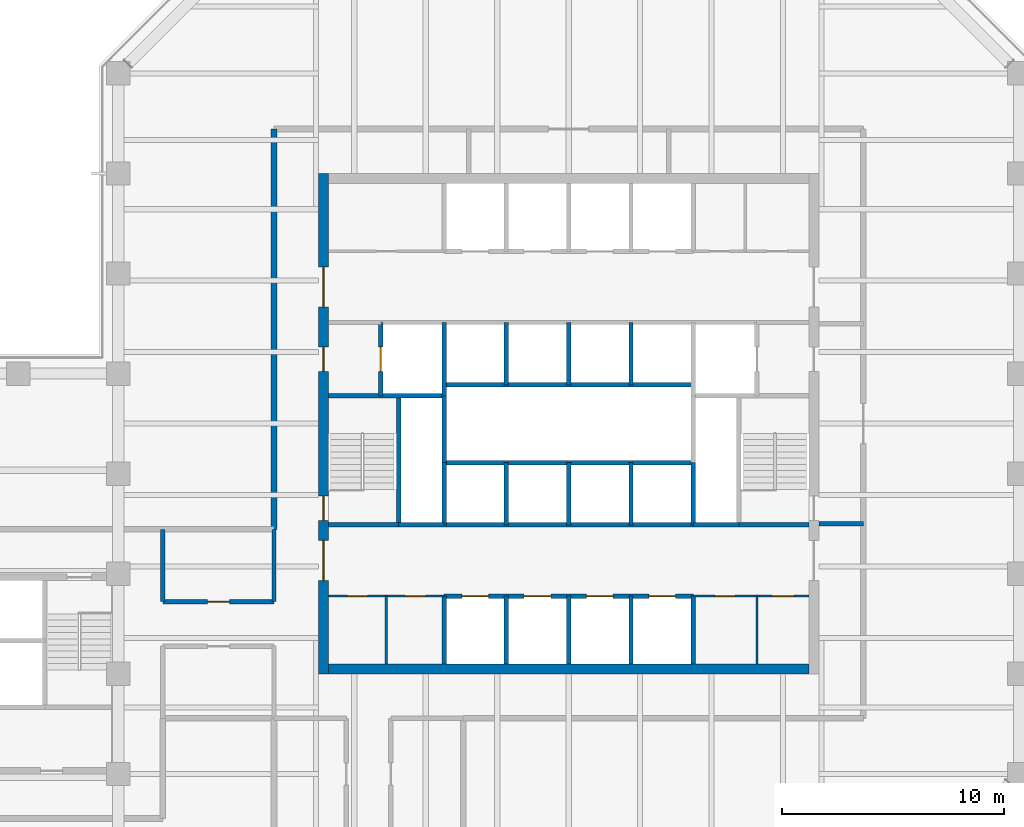
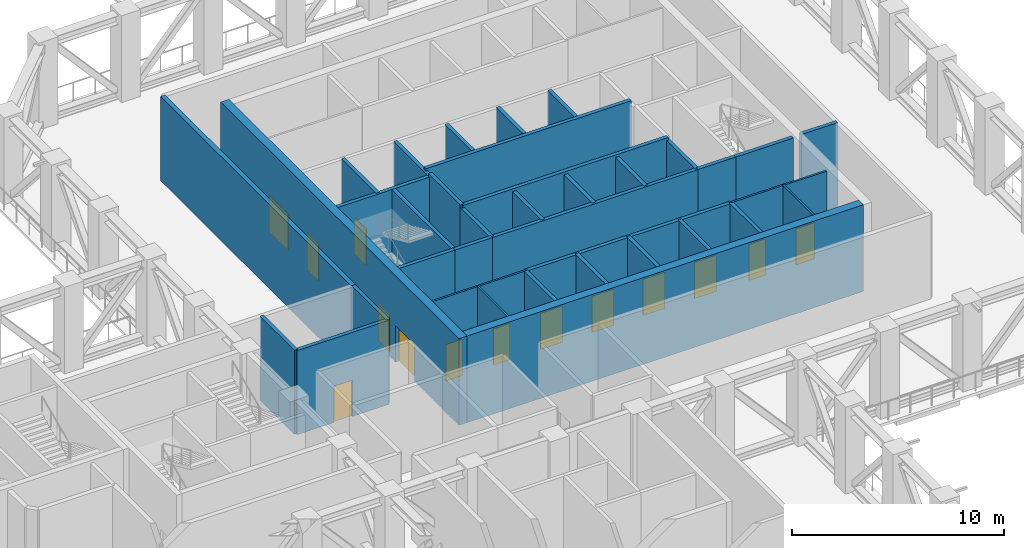
# One storey, part 6 of 14: 37 walls, 14 doors, 14 openings.
"""IFC4 building model written with IfcOpenShell, lengths in metres."""

from ifc_helpers import new_model, si_unit, direction, frame, frame_2d, origin, place, context, subcontext, project, spatial, rectangle, extrude, material, layer, layer_set, type_object, element, fill, save


model = new_model("IFC4")

# Units and contexts
model_context = context("Model", 3, precision=1e-05, world=origin(), true_north=direction((0.0, 1.0)))
body_context = subcontext(model_context, "Body", "Model", "MODEL_VIEW")
ifc_project = project(units=[si_unit("LENGTHUNIT", "METRE"), si_unit("AREAUNIT", "SQUARE_METRE"), si_unit("VOLUMEUNIT", "CUBIC_METRE"), si_unit("PLANEANGLEUNIT", "RADIAN"), si_unit("MASSUNIT", "GRAM", prefix="KILO")], contexts=[model_context])

# Site, building, storey
site_placement = place(None, origin())
site = spatial("IfcSite", under=ifc_project, at=site_placement, CompositionType="ELEMENT")
building_placement = place(site_placement, origin())
building = spatial("IfcBuilding", under=site, at=building_placement, Name="Quoin Convention Tower", CompositionType="ELEMENT")
storey_placement = place(building_placement, frame((0.0, 0.0, 138.10009765625)))
storey = spatial("IfcBuildingStorey", under=building, at=storey_placement, Name="L36", CompositionType="ELEMENT", Elevation=138.10009765625)

# Wall, openings, doors
ifc_material_1 = material(Name="Plasterboard")
ifc_layer_1 = layer(ifc_material_1, 0.012451171875, Name="Finish")
ifc_material_2 = material(Name="Steel stud framing", Category="steel")
ifc_layer_2 = layer(ifc_material_2, 0.074951171875, Name="Structure")
ifc_layer_3 = layer(ifc_material_1, 0.012451171875, Name="Finish")
ifc_layer_set_1 = layer_set([ifc_layer_1, ifc_layer_2, ifc_layer_3], Name="Steel stud framing")
wall_type_1 = type_object("IfcWallType", Name="Core partition wall", PredefinedType="PARTITIONING", material=ifc_layer_set_1)
wall_1_placement = place(storey_placement, frame((45.449951171875, 53.0, 0.0), z_axis=(0.0, 0.0, 1.0), x_axis=(1.0, 0.0, 0.0)))
wall_1 = element("IfcWall", 1, at=wall_1_placement, inside=storey, type_object=wall_type_1, Name="cr-C1-L36-h3500_450", PredefinedType="PARTITIONING", context=body_context, shape_type="SweptSolid", body=[
    extrude(rectangle(XDim=5.199951171875, YDim=0.10009765625, at=frame_2d((2.60009765625, 0.0))), origin(), (0.0, 0.0, 1.0), 4.849853515625),
])
opening_1_placement = place(wall_1_placement, frame((0.85009765625, 0.0, 0.0)))
opening_1 = element("IfcOpeningElement", 2, at=opening_1_placement, cuts=wall_1, Name="Opening DCV0-47", PredefinedType="OPENING", context=body_context, shape_type="SweptSolid", body=[
    extrude(rectangle(XDim=0.89990234375, YDim=2.10009765625, at=frame_2d((0.449951171875, 1.050048828125))), frame((0.0, 0.06005859375, 0.0), z_axis=(0.0, -1.0, 0.0), x_axis=(1.0, 0.0, 0.0)), (0.0, 0.0, 1.0), 0.1201171875),
])
opening_2_placement = place(wall_1_placement, frame((3.449951171875, 0.0, 0.0)))
opening_2 = element("IfcOpeningElement", 3, at=opening_2_placement, cuts=wall_1, Name="Opening DCV0-48", PredefinedType="OPENING", context=body_context, shape_type="SweptSolid", body=[
    extrude(rectangle(XDim=0.89990234375, YDim=2.10009765625, at=frame_2d((0.449951171875, 1.050048828125))), frame((0.0, 0.06005859375, 0.0), z_axis=(0.0, -1.0, 0.0), x_axis=(1.0, 0.0, 0.0)), (0.0, 0.0, 1.0), 0.1201171875),
])
ifc_material_3 = material(Name="Steel door leaf", Category="steel")
door_type_1 = type_object("IfcDoorType", Name="Core room door 900 x 2100", OperationType="SINGLE_SWING_LEFT", PredefinedType="DOOR", material=ifc_material_3)
door_1_placement = place(opening_1_placement, frame((0.89990234375, 0.0, 0.0), z_axis=(0.0, 0.0, 1.0), x_axis=(-1.0, 0.0, 0.0)))
door_1 = element("IfcDoor", 4, at=door_1_placement, inside=storey, type_object=door_type_1, Name="cd-C1-L36-CSW0-lobA-CD3612", OperationType="SINGLE_SWING_LEFT", OverallHeight=2.10009765625, OverallWidth=0.89990234375, PredefinedType="DOOR", context=body_context, shape_type="SweptSolid", body=[
    extrude(rectangle(XDim=0.89990234375, YDim=2.10009765625, at=frame_2d((0.449951171875, 1.050048828125))), frame((0.0, 0.02490234375, 0.0), z_axis=(0.0, -1.0, 0.0), x_axis=(1.0, 0.0, 0.0)), (0.0, 0.0, 1.0), 0.050048828125),
])
fill(opening_1, door_1)
door_2_placement = place(opening_2_placement, frame((0.89990234375, 0.0, 0.0), z_axis=(0.0, 0.0, 1.0), x_axis=(-1.0, 0.0, 0.0)))
door_2 = element("IfcDoor", 5, at=door_2_placement, inside=storey, type_object=door_type_1, Name="cd-C1-L36-CSW1-lobA-CD3613", OperationType="SINGLE_SWING_LEFT", OverallHeight=2.10009765625, OverallWidth=0.89990234375, PredefinedType="DOOR", context=body_context, shape_type="SweptSolid", body=[
    extrude(rectangle(XDim=0.89990234375, YDim=2.10009765625, at=frame_2d((0.449951171875, 1.050048828125))), frame((0.0, 0.02490234375, 0.0), z_axis=(0.0, -1.0, 0.0), x_axis=(1.0, 0.0, 0.0)), (0.0, 0.0, 1.0), 0.050048828125),
])
fill(opening_2, door_2)

wall_2_placement = place(storey_placement, frame((61.85009765625, 53.0, 0.0), z_axis=(0.0, 0.0, 1.0), x_axis=(1.0, 0.0, 0.0)))
wall_2 = element("IfcWall", 6, at=wall_2_placement, inside=storey, type_object=wall_type_1, Name="cr-C1-L36-h3500_16850", PredefinedType="PARTITIONING", context=body_context, shape_type="SweptSolid", body=[
    extrude(rectangle(XDim=5.199951171875, YDim=0.10009765625, at=frame_2d((2.60009765625, 0.0))), origin(), (0.0, 0.0, 1.0), 4.849853515625),
])
opening_3_placement = place(wall_2_placement, frame((3.530029296875, 0.0, 0.0)))
opening_3 = element("IfcOpeningElement", 7, at=opening_3_placement, cuts=wall_2, Name="Opening DCV0-31", PredefinedType="OPENING", context=body_context, shape_type="SweptSolid", body=[
    extrude(rectangle(XDim=1.0, YDim=2.10009765625, at=frame_2d((0.5, 1.050048828125))), frame((0.0, 0.06005859375, 0.0), z_axis=(0.0, -1.0, 0.0), x_axis=(1.0, 0.0, 0.0)), (0.0, 0.0, 1.0), 0.1201171875),
])
opening_4_placement = place(wall_2_placement, frame((0.97998046875, 0.0, 0.0)))
opening_4 = element("IfcOpeningElement", 8, at=opening_4_placement, cuts=wall_2, Name="Opening DCV0-28", PredefinedType="OPENING", context=body_context, shape_type="SweptSolid", body=[
    extrude(rectangle(XDim=0.89990234375, YDim=2.10009765625, at=frame_2d((0.449951171875, 1.050048828125))), frame((0.0, 0.06005859375, 0.0), z_axis=(0.0, -1.0, 0.0), x_axis=(1.0, 0.0, 0.0)), (0.0, 0.0, 1.0), 0.1201171875),
])
door_type_2 = type_object("IfcDoorType", Name="Core room door 1000 x 2100", OperationType="SINGLE_SWING_LEFT", PredefinedType="DOOR", material=ifc_material_3)
door_3_placement = place(opening_3_placement, frame((1.0, 0.0, 0.0), z_axis=(0.0, 0.0, 1.0), x_axis=(-1.0, 0.0, 0.0)))
door_3 = element("IfcDoor", 9, at=door_3_placement, inside=storey, type_object=door_type_2, Name="cd-C1-L36-CSE0-lobA-CD3610", OperationType="SINGLE_SWING_LEFT", OverallHeight=2.10009765625, OverallWidth=1.0, PredefinedType="DOOR", context=body_context, shape_type="SweptSolid", body=[
    extrude(rectangle(XDim=1.0, YDim=2.10009765625, at=frame_2d((0.5, 1.050048828125))), frame((0.0, 0.02490234375, 0.0), z_axis=(0.0, -1.0, 0.0), x_axis=(1.0, 0.0, 0.0)), (0.0, 0.0, 1.0), 0.050048828125),
])
fill(opening_3, door_3)
door_4_placement = place(opening_4_placement, frame((0.89990234375, 0.0, 0.0), z_axis=(0.0, 0.0, 1.0), x_axis=(-1.0, 0.0, 0.0)))
door_4 = element("IfcDoor", 10, at=door_4_placement, inside=storey, type_object=door_type_1, Name="cd-C1-L36-CSE1-lobA-CD3611", OperationType="SINGLE_SWING_LEFT", OverallHeight=2.10009765625, OverallWidth=0.89990234375, PredefinedType="DOOR", context=body_context, shape_type="SweptSolid", body=[
    extrude(rectangle(XDim=0.89990234375, YDim=2.10009765625, at=frame_2d((0.449951171875, 1.050048828125))), frame((0.0, 0.02490234375, 0.0), z_axis=(0.0, -1.0, 0.0), x_axis=(1.0, 0.0, 0.0)), (0.0, 0.0, 1.0), 0.050048828125),
])
fill(opening_4, door_4)

# Walls
for number, where, z_axis, x_axis, name in (
    (11, (48.050048828125, 49.949951171875, 0.0), (0.0, 0.0, 1.0), (0.0, 1.0, 0.0), "cr-C1-L36-v3050_450"),
    (12, (64.7099609375, 49.949951171875, 0.0), (0.0, 0.0, 1.0), (0.0, 1.0, 0.0), "cr-C1-L36-v19710_450"),
):
    element("IfcWall", number, at=place(storey_placement, frame(where, z_axis=z_axis, x_axis=x_axis)), inside=storey, type_object=wall_type_1, Name=name, PredefinedType="PARTITIONING", context=body_context, shape_type="SweptSolid", body=[
        extrude(rectangle(XDim=3.050048828125, YDim=0.10009765625, at=frame_2d((1.52490234375, 0.0))), origin(), (0.0, 0.0, 1.0), 4.849853515625),
    ])

# Wall, openings, doors
ifc_material_4 = material(Name="Concrete C50", Category="concrete")
ifc_layer_4 = layer(ifc_material_4, 0.199951171875)
ifc_layer_set_2 = layer_set([ifc_layer_4], Name="Concrete C50")
wall_type_2 = type_object("IfcWallType", Name="Core shaft wall", PredefinedType="SOLIDWALL", material=ifc_layer_set_2)
wall_3_placement = place(storey_placement, frame((50.64990234375, 53.0, 0.0), z_axis=(0.0, 0.0, 1.0), x_axis=(1.0, 0.0, 0.0)))
wall_3 = element("IfcWall", 13, at=wall_3_placement, inside=storey, type_object=wall_type_2, Name="cr-C1-L36-h3500_5650", PredefinedType="SOLIDWALL", context=body_context, shape_type="SweptSolid", body=[
    extrude(rectangle(XDim=11.2001953125, YDim=0.199951171875, at=frame_2d((5.60009765625, 0.0))), origin(), (0.0, 0.0, 1.0), 4.849853515625),
])
opening_5_placement = place(wall_3_placement, frame((0.800048828125, 0.0, 0.0)))
opening_5 = element("IfcOpeningElement", 14, at=opening_5_placement, cuts=wall_3, Name="Opening LDL1", PredefinedType="OPENING", context=body_context, shape_type="SweptSolid", body=[
    extrude(rectangle(XDim=1.199951171875, YDim=2.10009765625, at=frame_2d((0.60009765625, 1.050048828125))), frame((0.0, 0.10986328125, 0.0), z_axis=(0.0, -1.0, 0.0), x_axis=(1.0, 0.0, 0.0)), (0.0, 0.0, 1.0), 0.219970703125),
])
opening_6_placement = place(wall_3_placement, frame((3.60009765625, 0.0, 0.0)))
opening_6 = element("IfcOpeningElement", 15, at=opening_6_placement, cuts=wall_3, Name="Opening LDL2", PredefinedType="OPENING", context=body_context, shape_type="SweptSolid", body=[
    extrude(rectangle(XDim=1.199951171875, YDim=2.10009765625, at=frame_2d((0.60009765625, 1.050048828125))), frame((0.0, 0.10986328125, 0.0), z_axis=(0.0, -1.0, 0.0), x_axis=(1.0, 0.0, 0.0)), (0.0, 0.0, 1.0), 0.219970703125),
])
opening_7_placement = place(wall_3_placement, frame((6.39990234375, 0.0, 0.0)))
opening_7 = element("IfcOpeningElement", 16, at=opening_7_placement, cuts=wall_3, Name="Opening LDL3", PredefinedType="OPENING", context=body_context, shape_type="SweptSolid", body=[
    extrude(rectangle(XDim=1.199951171875, YDim=2.10009765625, at=frame_2d((0.60009765625, 1.050048828125))), frame((0.0, 0.10986328125, 0.0), z_axis=(0.0, -1.0, 0.0), x_axis=(1.0, 0.0, 0.0)), (0.0, 0.0, 1.0), 0.219970703125),
])
opening_8_placement = place(wall_3_placement, frame((9.199951171875, 0.0, 0.0)))
opening_8 = element("IfcOpeningElement", 17, at=opening_8_placement, cuts=wall_3, Name="Opening LDL4", PredefinedType="OPENING", context=body_context, shape_type="SweptSolid", body=[
    extrude(rectangle(XDim=1.199951171875, YDim=2.10009765625, at=frame_2d((0.60009765625, 1.050048828125))), frame((0.0, 0.10986328125, 0.0), z_axis=(0.0, -1.0, 0.0), x_axis=(1.0, 0.0, 0.0)), (0.0, 0.0, 1.0), 0.219970703125),
])
door_type_3 = type_object("IfcDoorType", Name="Lift landing door 1200 x 2100", OperationType="DOUBLE_DOOR_SLIDING", PredefinedType="DOOR", material=ifc_material_3)
door_5_placement = place(opening_5_placement, origin())
door_5 = element("IfcDoor", 18, at=door_5_placement, inside=storey, type_object=door_type_3, Name="cd-C1-L36-R10-lobA-LDL1", OperationType="DOUBLE_DOOR_SLIDING", OverallHeight=2.10009765625, OverallWidth=1.199951171875, PredefinedType="DOOR", context=body_context, shape_type="SweptSolid", body=[
    extrude(rectangle(XDim=1.199951171875, YDim=2.10009765625, at=frame_2d((0.60009765625, 1.050048828125))), frame((0.0, 0.02490234375, 0.0), z_axis=(0.0, -1.0, 0.0), x_axis=(1.0, 0.0, 0.0)), (0.0, 0.0, 1.0), 0.050048828125),
])
fill(opening_5, door_5)
door_6_placement = place(opening_6_placement, origin())
door_6 = element("IfcDoor", 19, at=door_6_placement, inside=storey, type_object=door_type_3, Name="cd-C1-L36-R11-lobA-LDL2", OperationType="DOUBLE_DOOR_SLIDING", OverallHeight=2.10009765625, OverallWidth=1.199951171875, PredefinedType="DOOR", context=body_context, shape_type="SweptSolid", body=[
    extrude(rectangle(XDim=1.199951171875, YDim=2.10009765625, at=frame_2d((0.60009765625, 1.050048828125))), frame((0.0, 0.02490234375, 0.0), z_axis=(0.0, -1.0, 0.0), x_axis=(1.0, 0.0, 0.0)), (0.0, 0.0, 1.0), 0.050048828125),
])
fill(opening_6, door_6)
door_7_placement = place(opening_7_placement, origin())
door_7 = element("IfcDoor", 20, at=door_7_placement, inside=storey, type_object=door_type_3, Name="cd-C1-L36-R12-lobA-LDL3", OperationType="DOUBLE_DOOR_SLIDING", OverallHeight=2.10009765625, OverallWidth=1.199951171875, PredefinedType="DOOR", context=body_context, shape_type="SweptSolid", body=[
    extrude(rectangle(XDim=1.199951171875, YDim=2.10009765625, at=frame_2d((0.60009765625, 1.050048828125))), frame((0.0, 0.02490234375, 0.0), z_axis=(0.0, -1.0, 0.0), x_axis=(1.0, 0.0, 0.0)), (0.0, 0.0, 1.0), 0.050048828125),
])
fill(opening_7, door_7)
door_8_placement = place(opening_8_placement, origin())
door_8 = element("IfcDoor", 21, at=door_8_placement, inside=storey, type_object=door_type_3, Name="cd-C1-L36-R13-lobA-LDL4", OperationType="DOUBLE_DOOR_SLIDING", OverallHeight=2.10009765625, OverallWidth=1.199951171875, PredefinedType="DOOR", context=body_context, shape_type="SweptSolid", body=[
    extrude(rectangle(XDim=1.199951171875, YDim=2.10009765625, at=frame_2d((0.60009765625, 1.050048828125))), frame((0.0, 0.02490234375, 0.0), z_axis=(0.0, -1.0, 0.0), x_axis=(1.0, 0.0, 0.0)), (0.0, 0.0, 1.0), 0.050048828125),
])
fill(opening_8, door_8)

# Walls
for number, where, z_axis, x_axis, name in (
    (22, (48.60009765625, 56.199951171875, 0.0), (0.0, 0.0, 1.0), (1.0, 0.0, 0.0), "cr-C1-L36-h6700_3600"),
    (23, (61.85009765625, 56.199951171875, 0.0), (0.0, 0.0, 1.0), (1.0, 0.0, 0.0), "cr-C1-L36-h6700_16850"),
):
    element("IfcWall", number, at=place(storey_placement, frame(where, z_axis=z_axis, x_axis=x_axis)), inside=storey, type_object=wall_type_2, Name=name, PredefinedType="SOLIDWALL", context=body_context, shape_type="SweptSolid", body=[
        extrude(rectangle(XDim=2.0498046875, YDim=0.199951171875, at=frame_2d((1.02490234375, 0.0))), origin(), (0.0, 0.0, 1.0), 4.849853515625),
    ])
wall_4_placement = place(storey_placement, frame((45.449951171875, 56.199951171875, 0.0), z_axis=(0.0, 0.0, 1.0), x_axis=(1.0, 0.0, 0.0)))
element("IfcWall", 24, at=wall_4_placement, inside=storey, type_object=wall_type_2, Name="cr-C1-L36-h6700_450", PredefinedType="SOLIDWALL", context=body_context, shape_type="SweptSolid", body=[
    extrude(rectangle(XDim=3.150146484375, YDim=0.199951171875, at=frame_2d((1.5751953125, 0.0))), origin(), (0.0, 0.0, 1.0), 4.849853515625),
])
wall_5_placement = place(storey_placement, frame((50.64990234375, 56.199951171875, 0.0), z_axis=(0.0, 0.0, 1.0), x_axis=(1.0, 0.0, 0.0)))
element("IfcWall", 25, at=wall_5_placement, inside=storey, type_object=wall_type_2, Name="cr-C1-L36-h6700_5650", PredefinedType="SOLIDWALL", context=body_context, shape_type="SweptSolid", body=[
    extrude(rectangle(XDim=11.2001953125, YDim=0.199951171875, at=frame_2d((5.60009765625, 0.0))), origin(), (0.0, 0.0, 1.0), 4.849853515625),
])
wall_6_placement = place(storey_placement, frame((63.89990234375, 56.199951171875, 0.0), z_axis=(0.0, 0.0, 1.0), x_axis=(1.0, 0.0, 0.0)))
element("IfcWall", 26, at=wall_6_placement, inside=storey, type_object=wall_type_2, Name="cr-C1-L36-h6700_18900", PredefinedType="SOLIDWALL", context=body_context, shape_type="SweptSolid", body=[
    extrude(rectangle(XDim=3.150146484375, YDim=0.199951171875, at=frame_2d((1.5751953125, 0.0))), origin(), (0.0, 0.0, 1.0), 4.849853515625),
])
wall_7_placement = place(storey_placement, frame((45.449951171875, 62.0, 0.0), z_axis=(0.0, 0.0, 1.0), x_axis=(1.0, 0.0, 0.0)))
element("IfcWall", 27, at=wall_7_placement, inside=storey, type_object=wall_type_2, Name="cr-C1-L36-h12500_450", PredefinedType="SOLIDWALL", context=body_context, shape_type="SweptSolid", body=[
    extrude(rectangle(XDim=5.199951171875, YDim=0.199951171875, at=frame_2d((2.60009765625, 0.0))), origin(), (0.0, 0.0, 1.0), 4.849853515625),
])

# Wall, opening, door
wall_8_placement = place(storey_placement, frame((47.800048828125, 62.0, 0.0), z_axis=(0.0, 0.0, 1.0), x_axis=(0.0, 1.0, 0.0)))
wall_8 = element("IfcWall", 28, at=wall_8_placement, inside=storey, type_object=wall_type_2, Name="cr-C1-L36-v2800_12500", PredefinedType="SOLIDWALL", context=body_context, shape_type="SweptSolid", body=[
    extrude(rectangle(XDim=3.300048828125, YDim=0.199951171875, at=frame_2d((1.64990234375, 0.0))), origin(), (0.0, 0.0, 1.0), 4.849853515625),
])
opening_9_placement = place(wall_8_placement, frame((1.10009765625, 0.0, 0.0)))
opening_9 = element("IfcOpeningElement", 29, at=opening_9_placement, cuts=wall_8, Name="Opening LDFL1", PredefinedType="OPENING", context=body_context, shape_type="SweptSolid", body=[
    extrude(rectangle(XDim=1.10009765625, YDim=2.10009765625, at=frame_2d((0.550048828125, 1.050048828125))), frame((0.0, 0.10986328125, 0.0), z_axis=(0.0, -1.0, 0.0), x_axis=(1.0, 0.0, 0.0)), (0.0, 0.0, 1.0), 0.219970703125),
])
door_type_4 = type_object("IfcDoorType", Name="Lift landing door 1100 x 2100", OperationType="DOUBLE_DOOR_SLIDING", PredefinedType="DOOR", material=ifc_material_3)
door_9_placement = place(opening_9_placement, origin())
door_9 = element("IfcDoor", 30, at=door_9_placement, inside=storey, type_object=door_type_4, Name="cd-C1-L36-FLW-FFW-LDFL1", OperationType="DOUBLE_DOOR_SLIDING", OverallHeight=2.10009765625, OverallWidth=1.10009765625, PredefinedType="DOOR", context=body_context, shape_type="SweptSolid", body=[
    extrude(rectangle(XDim=1.10009765625, YDim=2.10009765625, at=frame_2d((0.550048828125, 1.050048828125))), frame((0.0, 0.02490234375, 0.0), z_axis=(0.0, -1.0, 0.0), x_axis=(1.0, 0.0, 0.0)), (0.0, 0.0, 1.0), 0.050048828125),
])
fill(opening_9, door_9)

# Walls
wall_9_placement = place(storey_placement, frame((48.60009765625, 56.199951171875, 0.0), z_axis=(0.0, 0.0, 1.0), x_axis=(0.0, 1.0, 0.0)))
element("IfcWall", 31, at=wall_9_placement, inside=storey, type_object=wall_type_2, Name="cr-C1-L36-v3600_6700", PredefinedType="SOLIDWALL", context=body_context, shape_type="SweptSolid", body=[
    extrude(rectangle(XDim=5.800048828125, YDim=0.199951171875, at=frame_2d((2.89990234375, 0.0))), origin(), (0.0, 0.0, 1.0), 4.849853515625),
])
wall_10_placement = place(storey_placement, frame((50.64990234375, 49.949951171875, 0.0), z_axis=(0.0, 0.0, 1.0), x_axis=(0.0, 1.0, 0.0)))
element("IfcWall", 32, at=wall_10_placement, inside=storey, type_object=wall_type_2, Name="cr-C1-L36-v5650_450", PredefinedType="SOLIDWALL", context=body_context, shape_type="SweptSolid", body=[
    extrude(rectangle(XDim=3.050048828125, YDim=0.199951171875, at=frame_2d((1.52490234375, 0.0))), origin(), (0.0, 0.0, 1.0), 4.849853515625),
])
wall_11_placement = place(storey_placement, frame((50.64990234375, 56.199951171875, 0.0), z_axis=(0.0, 0.0, 1.0), x_axis=(0.0, 1.0, 0.0)))
element("IfcWall", 33, at=wall_11_placement, inside=storey, type_object=wall_type_2, Name="cr-C1-L36-v5650_6700", PredefinedType="SOLIDWALL", context=body_context, shape_type="SweptSolid", body=[
    extrude(rectangle(XDim=2.800048828125, YDim=0.199951171875, at=frame_2d((1.39990234375, 0.0))), origin(), (0.0, 0.0, 1.0), 4.849853515625),
])
wall_12_placement = place(storey_placement, frame((50.64990234375, 62.0, 0.0), z_axis=(0.0, 0.0, 1.0), x_axis=(0.0, 1.0, 0.0)))
element("IfcWall", 34, at=wall_12_placement, inside=storey, type_object=wall_type_2, Name="cr-C1-L36-v5650_12500", PredefinedType="SOLIDWALL", context=body_context, shape_type="SweptSolid", body=[
    extrude(rectangle(XDim=3.300048828125, YDim=0.199951171875, at=frame_2d((1.64990234375, 0.0))), origin(), (0.0, 0.0, 1.0), 4.849853515625),
])
wall_13_placement = place(storey_placement, frame((53.449951171875, 49.949951171875, 0.0), z_axis=(0.0, 0.0, 1.0), x_axis=(0.0, 1.0, 0.0)))
element("IfcWall", 35, at=wall_13_placement, inside=storey, type_object=wall_type_2, Name="cr-C1-L36-v8450_450", PredefinedType="SOLIDWALL", context=body_context, shape_type="SweptSolid", body=[
    extrude(rectangle(XDim=3.050048828125, YDim=0.199951171875, at=frame_2d((1.52490234375, 0.0))), origin(), (0.0, 0.0, 1.0), 4.849853515625),
])
for number, where, z_axis, x_axis, name in (
    (36, (53.449951171875, 56.199951171875, 0.0), (0.0, 0.0, 1.0), (0.0, 1.0, 0.0), "cr-C1-L36-v8450_6700"),
    (37, (53.449951171875, 62.5, 0.0), (0.0, 0.0, 1.0), (0.0, 1.0, 0.0), "cr-C1-L36-v8450_13000"),
):
    element("IfcWall", number, at=place(storey_placement, frame(where, z_axis=z_axis, x_axis=x_axis)), inside=storey, type_object=wall_type_2, Name=name, PredefinedType="SOLIDWALL", context=body_context, shape_type="SweptSolid", body=[
        extrude(rectangle(XDim=2.800048828125, YDim=0.199951171875, at=frame_2d((1.39990234375, 0.0))), origin(), (0.0, 0.0, 1.0), 4.849853515625),
    ])
wall_14_placement = place(storey_placement, frame((56.25, 49.949951171875, 0.0), z_axis=(0.0, 0.0, 1.0), x_axis=(0.0, 1.0, 0.0)))
element("IfcWall", 38, at=wall_14_placement, inside=storey, type_object=wall_type_2, Name="cr-C1-L36-v11250_450", PredefinedType="SOLIDWALL", context=body_context, shape_type="SweptSolid", body=[
    extrude(rectangle(XDim=3.050048828125, YDim=0.199951171875, at=frame_2d((1.52490234375, 0.0))), origin(), (0.0, 0.0, 1.0), 4.849853515625),
])
for number, where, z_axis, x_axis, name in (
    (39, (56.25, 56.199951171875, 0.0), (0.0, 0.0, 1.0), (0.0, 1.0, 0.0), "cr-C1-L36-v11250_6700"),
    (40, (56.25, 62.5, 0.0), (0.0, 0.0, 1.0), (0.0, 1.0, 0.0), "cr-C1-L36-v11250_13000"),
):
    element("IfcWall", number, at=place(storey_placement, frame(where, z_axis=z_axis, x_axis=x_axis)), inside=storey, type_object=wall_type_2, Name=name, PredefinedType="SOLIDWALL", context=body_context, shape_type="SweptSolid", body=[
        extrude(rectangle(XDim=2.800048828125, YDim=0.199951171875, at=frame_2d((1.39990234375, 0.0))), origin(), (0.0, 0.0, 1.0), 4.849853515625),
    ])
wall_15_placement = place(storey_placement, frame((59.050048828125, 49.949951171875, 0.0), z_axis=(0.0, 0.0, 1.0), x_axis=(0.0, 1.0, 0.0)))
element("IfcWall", 41, at=wall_15_placement, inside=storey, type_object=wall_type_2, Name="cr-C1-L36-v14050_450", PredefinedType="SOLIDWALL", context=body_context, shape_type="SweptSolid", body=[
    extrude(rectangle(XDim=3.050048828125, YDim=0.199951171875, at=frame_2d((1.52490234375, 0.0))), origin(), (0.0, 0.0, 1.0), 4.849853515625),
])
for number, where, z_axis, x_axis, name in (
    (42, (59.050048828125, 56.199951171875, 0.0), (0.0, 0.0, 1.0), (0.0, 1.0, 0.0), "cr-C1-L36-v14050_6700"),
    (43, (59.050048828125, 62.5, 0.0), (0.0, 0.0, 1.0), (0.0, 1.0, 0.0), "cr-C1-L36-v14050_13000"),
):
    element("IfcWall", number, at=place(storey_placement, frame(where, z_axis=z_axis, x_axis=x_axis)), inside=storey, type_object=wall_type_2, Name=name, PredefinedType="SOLIDWALL", context=body_context, shape_type="SweptSolid", body=[
        extrude(rectangle(XDim=2.800048828125, YDim=0.199951171875, at=frame_2d((1.39990234375, 0.0))), origin(), (0.0, 0.0, 1.0), 4.849853515625),
    ])
wall_16_placement = place(storey_placement, frame((61.85009765625, 49.949951171875, 0.0), z_axis=(0.0, 0.0, 1.0), x_axis=(0.0, 1.0, 0.0)))
element("IfcWall", 44, at=wall_16_placement, inside=storey, type_object=wall_type_2, Name="cr-C1-L36-v16850_450", PredefinedType="SOLIDWALL", context=body_context, shape_type="SweptSolid", body=[
    extrude(rectangle(XDim=3.050048828125, YDim=0.199951171875, at=frame_2d((1.52490234375, 0.0))), origin(), (0.0, 0.0, 1.0), 4.849853515625),
])
wall_17_placement = place(storey_placement, frame((61.85009765625, 56.199951171875, 0.0), z_axis=(0.0, 0.0, 1.0), x_axis=(0.0, 1.0, 0.0)))
element("IfcWall", 45, at=wall_17_placement, inside=storey, type_object=wall_type_2, Name="cr-C1-L36-v16850_6700", PredefinedType="SOLIDWALL", context=body_context, shape_type="SweptSolid", body=[
    extrude(rectangle(XDim=2.800048828125, YDim=0.199951171875, at=frame_2d((1.39990234375, 0.0))), origin(), (0.0, 0.0, 1.0), 4.849853515625),
])
ifc_layer_5 = layer(ifc_material_4, 0.199951171875)
ifc_layer_set_3 = layer_set([ifc_layer_5], Name="Concrete C50")
wall_type_3 = type_object("IfcWallType", Name="Core shaft wall to the floor level over", PredefinedType="SOLIDWALL", material=ifc_layer_set_3)
for number, where, z_axis, x_axis, name in (
    (46, (50.64990234375, 59.0, 0.0), (0.0, 0.0, 1.0), (1.0, 0.0, 0.0), "cr-C1-L36-h9500_5650"),
    (47, (50.64990234375, 62.5, 0.0), (0.0, 0.0, 1.0), (1.0, 0.0, 0.0), "cr-C1-L36-h13000_5650"),
):
    element("IfcWall", number, at=place(storey_placement, frame(where, z_axis=z_axis, x_axis=x_axis)), inside=storey, type_object=wall_type_3, Name=name, PredefinedType="SOLIDWALL", context=body_context, shape_type="SweptSolid", body=[
        extrude(rectangle(XDim=11.2001953125, YDim=0.199951171875, at=frame_2d((5.60009765625, 0.0))), origin(), (0.0, 0.0, 1.0), 5.0),
    ])
wall_18_placement = place(storey_placement, frame((50.64990234375, 59.0, 0.0), z_axis=(0.0, 0.0, 1.0), x_axis=(0.0, 1.0, 0.0)))
element("IfcWall", 48, at=wall_18_placement, inside=storey, type_object=wall_type_3, Name="cr-C1-L36-v5650_9500", PredefinedType="SOLIDWALL", context=body_context, shape_type="SweptSolid", body=[
    extrude(rectangle(XDim=3.0, YDim=0.199951171875, at=frame_2d((1.5, 0.0))), origin(), (0.0, 0.0, 1.0), 5.0),
])
ifc_material_5 = material(Name="Concrete C65", Category="concrete")
ifc_layer_6 = layer(ifc_material_5, 0.449951171875)
ifc_layer_set_4 = layer_set([ifc_layer_6], Name="Concrete C65")
wall_type_4 = type_object("IfcWallType", Name="RC CORE WALL 450 C65", PredefinedType="SHEAR", material=ifc_layer_set_4)
wall_19_placement = place(storey_placement, frame((45.449951171875, 49.72509765625, 0.0), z_axis=(0.0, 0.0, 1.0), x_axis=(1.0, 0.0, 0.0)))
element("IfcWall", 49, at=wall_19_placement, inside=storey, type_object=wall_type_4, Name="cwl-C1-L36-S", PredefinedType="SHEAR", context=body_context, shape_type="SweptSolid", body=[
    extrude(rectangle(XDim=21.60009765625, YDim=0.449951171875, at=frame_2d((10.800048828125, 0.0))), origin(), (0.0, 0.0, 1.0), 5.0),
])

# Wall, openings, doors
wall_20_placement = place(storey_placement, frame((45.22509765625, 49.5, 0.0), z_axis=(0.0, 0.0, 1.0), x_axis=(0.0, 1.0, 0.0)))
wall_20 = element("IfcWall", 50, at=wall_20_placement, inside=storey, type_object=wall_type_4, Name="cwl-C1-L36-W", PredefinedType="SHEAR", context=body_context, shape_type="SweptSolid", body=[
    extrude(rectangle(XDim=22.5, YDim=0.449951171875, at=frame_2d((11.25, 0.0))), origin(), (0.0, 0.0, 1.0), 5.0),
])
opening_10_placement = place(wall_20_placement, frame((4.199951171875, 0.0, 0.0)))
opening_10 = element("IfcOpeningElement", 51, at=opening_10_placement, cuts=wall_20, Name="Opening DCV0-59", PredefinedType="OPENING", context=body_context, shape_type="SweptSolid", body=[
    extrude(rectangle(XDim=1.800048828125, YDim=2.10009765625, at=frame_2d((0.89990234375, 1.050048828125))), frame((0.0, 0.23486328125, 0.0), z_axis=(0.0, -1.0, 0.0), x_axis=(1.0, 0.0, 0.0)), (0.0, 0.0, 1.0), 0.469970703125),
])
opening_11_placement = place(wall_20_placement, frame((6.89990234375, 0.0, 0.0)))
opening_11 = element("IfcOpeningElement", 52, at=opening_11_placement, cuts=wall_20, Name="Opening SD1", PredefinedType="OPENING", context=body_context, shape_type="SweptSolid", body=[
    extrude(rectangle(XDim=1.10009765625, YDim=2.10009765625, at=frame_2d((0.550048828125, 1.050048828125))), frame((0.0, 0.23486328125, 0.0), z_axis=(0.0, -1.0, 0.0), x_axis=(1.0, 0.0, 0.0)), (0.0, 0.0, 1.0), 0.469970703125),
])
opening_12_placement = place(wall_20_placement, frame((13.60009765625, 0.0, 0.0)))
opening_12 = element("IfcOpeningElement", 53, at=opening_12_placement, cuts=wall_20, Name="Opening DCV0-58", PredefinedType="OPENING", context=body_context, shape_type="SweptSolid", body=[
    extrude(rectangle(XDim=1.10009765625, YDim=2.10009765625, at=frame_2d((0.550048828125, 1.050048828125))), frame((0.0, 0.23486328125, 0.0), z_axis=(0.0, -1.0, 0.0), x_axis=(1.0, 0.0, 0.0)), (0.0, 0.0, 1.0), 0.469970703125),
])
opening_13_placement = place(wall_20_placement, frame((16.5, 0.0, 0.0)))
opening_13 = element("IfcOpeningElement", 54, at=opening_13_placement, cuts=wall_20, Name="Opening DCV0-59", PredefinedType="OPENING", context=body_context, shape_type="SweptSolid", body=[
    extrude(rectangle(XDim=1.800048828125, YDim=2.10009765625, at=frame_2d((0.89990234375, 1.050048828125))), frame((0.0, 0.23486328125, 0.0), z_axis=(0.0, -1.0, 0.0), x_axis=(1.0, 0.0, 0.0)), (0.0, 0.0, 1.0), 0.469970703125),
])
door_type_5 = type_object("IfcDoorType", Name="Fire-fighting lobby door 1100 x 2100", OperationType="SINGLE_SWING_LEFT", PredefinedType="DOOR", material=ifc_material_3)
door_10_placement = place(opening_12_placement, frame((1.10009765625, 0.0, 0.0), z_axis=(0.0, 0.0, 1.0), x_axis=(-1.0, 0.0, 0.0)))
door_10 = element("IfcDoor", 55, at=door_10_placement, inside=storey, type_object=door_type_5, Name="cd-C1-L36-FFW-W", OperationType="SINGLE_SWING_LEFT", OverallHeight=2.10009765625, OverallWidth=1.10009765625, PredefinedType="DOOR", context=body_context, shape_type="SweptSolid", body=[
    extrude(rectangle(XDim=1.10009765625, YDim=2.10009765625, at=frame_2d((0.550048828125, 1.050048828125))), frame((0.0, 0.02490234375, 0.0), z_axis=(0.0, -1.0, 0.0), x_axis=(1.0, 0.0, 0.0)), (0.0, 0.0, 1.0), 0.050048828125),
])
fill(opening_12, door_10)
door_type_6 = type_object("IfcDoorType", Name="Lift lobby door 1800 x 2100", OperationType="SINGLE_SWING_LEFT", PredefinedType="DOOR", material=ifc_material_3)
door_11_placement = place(opening_10_placement, frame((1.800048828125, 0.0, 0.0), z_axis=(0.0, 0.0, 1.0), x_axis=(-1.0, 0.0, 0.0)))
door_11 = element("IfcDoor", 56, at=door_11_placement, inside=storey, type_object=door_type_6, Name="cd-C1-L36-lobA-W", OperationType="SINGLE_SWING_LEFT", OverallHeight=2.10009765625, OverallWidth=1.800048828125, PredefinedType="DOOR", context=body_context, shape_type="SweptSolid", body=[
    extrude(rectangle(XDim=1.800048828125, YDim=2.10009765625, at=frame_2d((0.89990234375, 1.050048828125))), frame((0.0, 0.02490234375, 0.0), z_axis=(0.0, -1.0, 0.0), x_axis=(1.0, 0.0, 0.0)), (0.0, 0.0, 1.0), 0.050048828125),
])
fill(opening_10, door_11)
door_12_placement = place(opening_13_placement, frame((1.800048828125, 0.0, 0.0), z_axis=(0.0, 0.0, 1.0), x_axis=(-1.0, 0.0, 0.0)))
door_12 = element("IfcDoor", 57, at=door_12_placement, inside=storey, type_object=door_type_6, Name="cd-C1-L36-lobB-W", OperationType="SINGLE_SWING_LEFT", OverallHeight=2.10009765625, OverallWidth=1.800048828125, PredefinedType="DOOR", context=body_context, shape_type="SweptSolid", body=[
    extrude(rectangle(XDim=1.800048828125, YDim=2.10009765625, at=frame_2d((0.89990234375, 1.050048828125))), frame((0.0, 0.02490234375, 0.0), z_axis=(0.0, -1.0, 0.0), x_axis=(1.0, 0.0, 0.0)), (0.0, 0.0, 1.0), 0.050048828125),
])
fill(opening_13, door_12)
door_type_7 = type_object("IfcDoorType", Name="Stair door 1100 x 2100", OperationType="SINGLE_SWING_RIGHT", PredefinedType="DOOR", material=ifc_material_3)
door_13_placement = place(opening_11_placement, frame((1.10009765625, 0.0, 0.0), z_axis=(0.0, 0.0, 1.0), x_axis=(-1.0, 0.0, 0.0)))
door_13 = element("IfcDoor", 58, at=door_13_placement, inside=storey, type_object=door_type_7, Name="cd-C1-L36-STW-W", OperationType="SINGLE_SWING_RIGHT", OverallHeight=2.10009765625, OverallWidth=1.10009765625, PredefinedType="DOOR", context=body_context, shape_type="SweptSolid", body=[
    extrude(rectangle(XDim=1.10009765625, YDim=2.10009765625, at=frame_2d((0.550048828125, 1.050048828125))), frame((0.0, 0.02490234375, 0.0), z_axis=(0.0, -1.0, 0.0), x_axis=(1.0, 0.0, 0.0)), (0.0, 0.0, 1.0), 0.050048828125),
])
fill(opening_11, door_13)

# Wall, opening, door
ifc_layer_7 = layer(ifc_material_1, 0.012451171875, Name="Finish")
ifc_layer_8 = layer(ifc_material_2, 0.175048828125, Name="Structure")
ifc_layer_9 = layer(ifc_material_1, 0.012451171875, Name="Finish")
ifc_layer_set_5 = layer_set([ifc_layer_7, ifc_layer_8, ifc_layer_9], Name="Steel stud framing")
wall_type_5 = type_object("IfcWallType", Name="plant room wall", PredefinedType="PARTITIONING", material=ifc_layer_set_5)
wall_21_placement = place(storey_placement, frame((38.0, 52.75, 0.0), z_axis=(0.0, 0.0, 1.0), x_axis=(1.0, 0.0, 0.0)))
wall_21 = element("IfcWall", 59, at=wall_21_placement, inside=storey, type_object=wall_type_5, Name="pw-L36-034", PredefinedType="PARTITIONING", context=body_context, shape_type="SweptSolid", body=[
    extrude(rectangle(XDim=5.0, YDim=0.199951171875, at=frame_2d((2.5, 0.0))), origin(), (0.0, 0.0, 1.0), 4.849853515625),
])
opening_14_placement = place(wall_21_placement, frame((2.0, 0.0, 0.0)))
opening_14 = element("IfcOpeningElement", 60, at=opening_14_placement, cuts=wall_21, Name="Opening DREFUGE-R2-07", PredefinedType="OPENING", context=body_context, shape_type="SweptSolid", body=[
    extrude(rectangle(XDim=1.0, YDim=2.10009765625, at=frame_2d((0.5, 1.050048828125))), frame((0.0, 0.10986328125, 0.0), z_axis=(0.0, -1.0, 0.0), x_axis=(1.0, 0.0, 0.0)), (0.0, 0.0, 1.0), 0.219970703125),
])
door_type_8 = type_object("IfcDoorType", Name="Plant room door", OperationType="SINGLE_SWING_LEFT", PredefinedType="DOOR", material=ifc_material_3)
door_14_placement = place(opening_14_placement, origin())
door_14 = element("IfcDoor", 61, at=door_14_placement, inside=storey, type_object=door_type_8, Name="dr-L36-008", OperationType="SINGLE_SWING_RIGHT", OverallHeight=2.10009765625, OverallWidth=1.0, PredefinedType="DOOR", context=body_context, shape_type="SweptSolid", body=[
    extrude(rectangle(XDim=1.0, YDim=2.10009765625, at=frame_2d((0.5, 1.050048828125))), frame((0.0, 0.02490234375, 0.0), z_axis=(0.0, -1.0, 0.0), x_axis=(1.0, 0.0, 0.0)), (0.0, 0.0, 1.0), 0.050048828125),
])
fill(opening_14, door_14)

# Walls
for number, where, z_axis, x_axis, name in (
    (62, (38.0, 52.75, 0.0), (0.0, 0.0, 1.0), (0.0, 1.0, 0.0), "pw-L36-035"),
    (63, (43.0, 52.75, 0.0), (0.0, 0.0, 1.0), (0.0, 1.0, 0.0), "pw-L36-036"),
):
    element("IfcWall", number, at=place(storey_placement, frame(where, z_axis=z_axis, x_axis=x_axis)), inside=storey, type_object=wall_type_5, Name=name, PredefinedType="PARTITIONING", context=body_context, shape_type="SweptSolid", body=[
        extrude(rectangle(XDim=3.25, YDim=0.199951171875, at=frame_2d((1.625, 0.0))), origin(), (0.0, 0.0, 1.0), 4.849853515625),
    ])
wall_22_placement = place(storey_placement, frame((67.5, 56.25, 0.0), z_axis=(0.0, 0.0, 1.0), x_axis=(1.0, 0.0, 0.0)))
element("IfcWall", 64, at=wall_22_placement, inside=storey, type_object=wall_type_5, Name="pw-L36-037", PredefinedType="PARTITIONING", context=body_context, shape_type="SweptSolid", body=[
    extrude(rectangle(XDim=2.0, YDim=0.199951171875, at=frame_2d((1.0, 0.0))), origin(), (0.0, 0.0, 1.0), 4.849853515625),
])
ifc_layer_10 = layer(ifc_material_1, 0.012451171875, Name="Finish")
ifc_layer_11 = layer(ifc_material_2, 0.22509765625, Name="Structure")
ifc_layer_12 = layer(ifc_material_1, 0.012451171875, Name="Finish")
ifc_layer_set_6 = layer_set([ifc_layer_10, ifc_layer_11, ifc_layer_12], Name="Steel stud framing")
wall_type_6 = type_object("IfcWallType", Name="refuge enclosure wall", PredefinedType="PARTITIONING", material=ifc_layer_set_6)
wall_23_placement = place(storey_placement, frame((43.0, 56.0, 0.0), z_axis=(0.0, 0.0, 1.0), x_axis=(0.0, 1.0, 0.0)))
element("IfcWall", 65, at=wall_23_placement, inside=storey, type_object=wall_type_6, Name="pw-L36-021", PredefinedType="PARTITIONING", context=body_context, shape_type="SweptSolid", body=[
    extrude(rectangle(XDim=18.0, YDim=0.25, at=frame_2d((9.0, 0.0))), origin(), (0.0, 0.0, 1.0), 4.849853515625),
])

save(model, "model.ifc")
